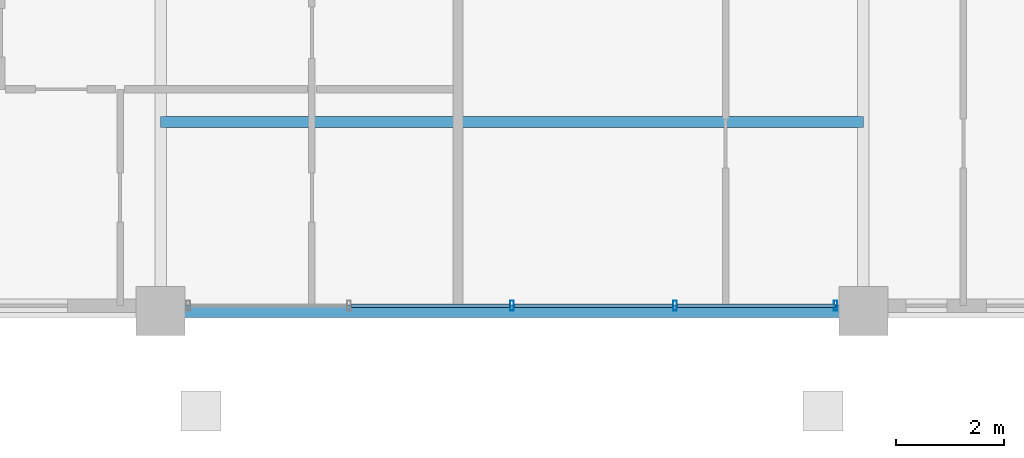
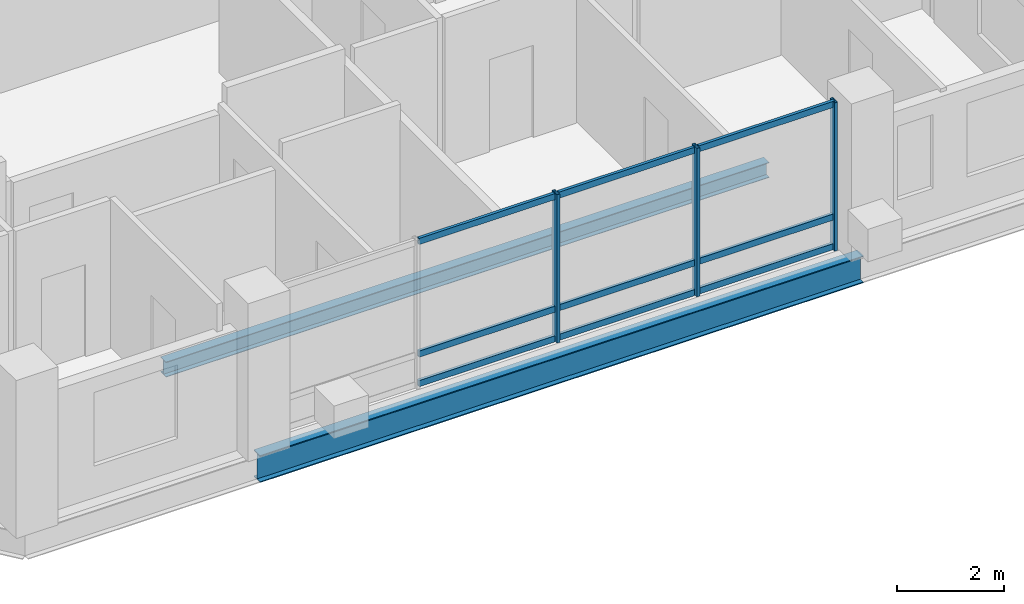
# One storey, part 4 of 16: 12 members, 2 beams, 1 element without a shape of its own.
"""IFC4 building model written with IfcOpenShell, lengths in metres."""

from ifc_helpers import new_model, si_unit, direction, frame, origin, origin_2d, place, context, subcontext, project, spatial, hollow_rectangle, i_section, extrude, material, layer, layer_set, material_profile, profile_set, type_object, element, aggregate, save


model = new_model("IFC4")

# Units and contexts
model_context = context("Model", 3, precision=1e-05, world=origin(), true_north=direction((0.0, 1.0)))
body_context = subcontext(model_context, "Body", "Model", "MODEL_VIEW")
ifc_project = project(units=[si_unit("LENGTHUNIT", "METRE"), si_unit("AREAUNIT", "SQUARE_METRE"), si_unit("VOLUMEUNIT", "CUBIC_METRE"), si_unit("PLANEANGLEUNIT", "RADIAN"), si_unit("MASSUNIT", "GRAM", prefix="KILO")], contexts=[model_context])

# Site, building, storey
site_placement = place(None, origin())
site = spatial("IfcSite", under=ifc_project, at=site_placement, CompositionType="ELEMENT")
building_placement = place(site_placement, origin())
building = spatial("IfcBuilding", under=site, at=building_placement, Name="Barlavira Tower and Art Museum", CompositionType="ELEMENT")
storey_placement = place(building_placement, frame((0.0, 0.0, 265.5)))
storey = spatial("IfcBuildingStorey", under=building, at=storey_placement, Name="L69", CompositionType="ELEMENT", Elevation=265.5)

# Curtain wall, members
ifc_material_1 = material(Name="Low-iron coastal laminated glass", Category="glass")
ifc_layer = layer(ifc_material_1, 0.2099609375, Name="Low-iron coastal laminated glass")
ifc_layer_set = layer_set([ifc_layer], Name="Low-iron coastal laminated glass")
curtain_wall_type = type_object("IfcCurtainWallType", Name="Pale-Metal Unitised Curtain Wall Zone 4", PredefinedType="NOTDEFINED", material=ifc_layer_set)
curtain_wall_placement = place(storey_placement, origin())
curtain_wall = element("IfcCurtainWall", 1, at=curtain_wall_placement, inside=storey, type_object=curtain_wall_type, Name="L69 Curtain Wall CW4-L69-S-B2", PredefinedType="NOTDEFINED")
ifc_material_2 = material(Name="Pale anodised aluminium", Category="aluminium")
ifc_material_profile_1 = material_profile(ifc_material_2, hollow_rectangle(XDim=0.06494140625, YDim=0.179931640625, WallThickness=0.00390625, at=origin_2d()), Name="ALU-MULL 65x180x4")
ifc_profile_set_1 = profile_set([ifc_material_profile_1], Name="Pale anodised aluminium")
member_type_1 = type_object("IfcMemberType", Name="Curtain Wall Pale-Metal Mullion 65x180", PredefinedType="MULLION", material=ifc_profile_set_1)
member_1_placement = place(storey_placement, frame((0.0, -19.89990234375, 0.0), z_axis=(0.0, 0.0, 1.0), x_axis=(1.0, 0.0, 0.0)))
member_1 = element("IfcMember", 2, at=member_1_placement, type_object=member_type_1, Name="CW4-L69-S-B2 Mullion 2", PredefinedType="MULLION", context=body_context, shape_type="SweptSolid", body=[
    extrude(hollow_rectangle(XDim=0.06494140625, YDim=0.179931640625, WallThickness=0.00390625, at=origin_2d()), origin(), (0.0, 0.0, 1.0), 3.3798828125),
])
member_2_placement = place(storey_placement, frame((3.014892578125, -19.89990234375, 0.0), z_axis=(0.0, 0.0, 1.0), x_axis=(1.0, 0.0, 0.0)))
member_2 = element("IfcMember", 3, at=member_2_placement, type_object=member_type_1, Name="CW4-L69-S-B2 Mullion 3", PredefinedType="MULLION", context=body_context, shape_type="SweptSolid", body=[
    extrude(hollow_rectangle(XDim=0.06494140625, YDim=0.179931640625, WallThickness=0.00390625, at=origin_2d()), origin(), (0.0, 0.0, 1.0), 3.3798828125),
])
member_3_placement = place(storey_placement, frame((5.985107421875, -19.89990234375, 0.0), z_axis=(0.0, 0.0, 1.0), x_axis=(1.0, 0.0, 0.0)))
member_3 = element("IfcMember", 4, at=member_3_placement, type_object=member_type_1, Name="CW4-L69-S-B2 Mullion 4", PredefinedType="MULLION", context=body_context, shape_type="SweptSolid", body=[
    extrude(hollow_rectangle(XDim=0.06494140625, YDim=0.179931640625, WallThickness=0.00390625, at=origin_2d()), origin(), (0.0, 0.0, 1.0), 3.3798828125),
])
ifc_material_profile_2 = material_profile(ifc_material_2, hollow_rectangle(XDim=0.06494140625, YDim=0.139892578125, WallThickness=0.00390625, at=origin_2d()), Name="ALU-TRAN 65x140x4")
ifc_profile_set_2 = profile_set([ifc_material_profile_2], Name="Pale anodised aluminium")
member_type_2 = type_object("IfcMemberType", Name="Curtain Wall Pale-Metal Transom 65x140", PredefinedType="USERDEFINED", material=ifc_profile_set_2)
member_4_placement = place(storey_placement, frame((-2.969970703125, -19.89990234375, 0.070068359375), z_axis=(1.0, 0.0, 0.0), x_axis=(0.0, 1.0, 0.0)))
member_4 = element("IfcMember", 5, at=member_4_placement, type_object=member_type_2, Name="CW4-L69-S-B2 Transom 1.1", ObjectType="TRANSOM", PredefinedType="USERDEFINED", context=body_context, shape_type="SweptSolid", body=[
    extrude(hollow_rectangle(XDim=0.06494140625, YDim=0.139892578125, WallThickness=0.00390625, at=origin_2d()), origin(), (0.0, 0.0, 1.0), 2.925048828125),
])
member_5_placement = place(storey_placement, frame((-2.969970703125, -19.89990234375, 0.743896484375), z_axis=(1.0, 0.0, 0.0), x_axis=(0.0, 1.0, 0.0)))
member_5 = element("IfcMember", 6, at=member_5_placement, type_object=member_type_2, Name="CW4-L69-S-B2 Transom 1.2", ObjectType="TRANSOM", PredefinedType="USERDEFINED", context=body_context, shape_type="SweptSolid", body=[
    extrude(hollow_rectangle(XDim=0.06494140625, YDim=0.139892578125, WallThickness=0.00390625, at=origin_2d()), origin(), (0.0, 0.0, 1.0), 2.925048828125),
])
member_6_placement = place(storey_placement, frame((-2.969970703125, -19.89990234375, 3.31005859375), z_axis=(1.0, 0.0, 0.0), x_axis=(0.0, 1.0, 0.0)))
member_6 = element("IfcMember", 7, at=member_6_placement, type_object=member_type_2, Name="CW4-L69-S-B2 Transom 1.3", ObjectType="TRANSOM", PredefinedType="USERDEFINED", context=body_context, shape_type="SweptSolid", body=[
    extrude(hollow_rectangle(XDim=0.06494140625, YDim=0.139892578125, WallThickness=0.00390625, at=origin_2d()), origin(), (0.0, 0.0, 1.0), 2.925048828125),
])
member_7_placement = place(storey_placement, frame((0.044921875, -19.89990234375, 0.070068359375), z_axis=(1.0, 0.0, 0.0), x_axis=(0.0, 1.0, 0.0)))
member_7 = element("IfcMember", 8, at=member_7_placement, type_object=member_type_2, Name="CW4-L69-S-B2 Transom 2.1", ObjectType="TRANSOM", PredefinedType="USERDEFINED", context=body_context, shape_type="SweptSolid", body=[
    extrude(hollow_rectangle(XDim=0.06494140625, YDim=0.139892578125, WallThickness=0.00390625, at=origin_2d()), origin(), (0.0, 0.0, 1.0), 2.925048828125),
])
member_8_placement = place(storey_placement, frame((0.044921875, -19.89990234375, 0.743896484375), z_axis=(1.0, 0.0, 0.0), x_axis=(0.0, 1.0, 0.0)))
member_8 = element("IfcMember", 9, at=member_8_placement, type_object=member_type_2, Name="CW4-L69-S-B2 Transom 2.2", ObjectType="TRANSOM", PredefinedType="USERDEFINED", context=body_context, shape_type="SweptSolid", body=[
    extrude(hollow_rectangle(XDim=0.06494140625, YDim=0.139892578125, WallThickness=0.00390625, at=origin_2d()), origin(), (0.0, 0.0, 1.0), 2.925048828125),
])
member_9_placement = place(storey_placement, frame((0.044921875, -19.89990234375, 3.31005859375), z_axis=(1.0, 0.0, 0.0), x_axis=(0.0, 1.0, 0.0)))
member_9 = element("IfcMember", 10, at=member_9_placement, type_object=member_type_2, Name="CW4-L69-S-B2 Transom 2.3", ObjectType="TRANSOM", PredefinedType="USERDEFINED", context=body_context, shape_type="SweptSolid", body=[
    extrude(hollow_rectangle(XDim=0.06494140625, YDim=0.139892578125, WallThickness=0.00390625, at=origin_2d()), origin(), (0.0, 0.0, 1.0), 2.925048828125),
])
member_10_placement = place(storey_placement, frame((3.06005859375, -19.89990234375, 0.070068359375), z_axis=(1.0, 0.0, 0.0), x_axis=(0.0, 1.0, 0.0)))
member_10 = element("IfcMember", 11, at=member_10_placement, type_object=member_type_2, Name="CW4-L69-S-B2 Transom 3.1", ObjectType="TRANSOM", PredefinedType="USERDEFINED", context=body_context, shape_type="SweptSolid", body=[
    extrude(hollow_rectangle(XDim=0.06494140625, YDim=0.139892578125, WallThickness=0.00390625, at=origin_2d()), origin(), (0.0, 0.0, 1.0), 2.925048828125),
])
member_11_placement = place(storey_placement, frame((3.06005859375, -19.89990234375, 0.743896484375), z_axis=(1.0, 0.0, 0.0), x_axis=(0.0, 1.0, 0.0)))
member_11 = element("IfcMember", 12, at=member_11_placement, type_object=member_type_2, Name="CW4-L69-S-B2 Transom 3.2", ObjectType="TRANSOM", PredefinedType="USERDEFINED", context=body_context, shape_type="SweptSolid", body=[
    extrude(hollow_rectangle(XDim=0.06494140625, YDim=0.139892578125, WallThickness=0.00390625, at=origin_2d()), origin(), (0.0, 0.0, 1.0), 2.925048828125),
])
member_12_placement = place(storey_placement, frame((3.06005859375, -19.89990234375, 3.31005859375), z_axis=(1.0, 0.0, 0.0), x_axis=(0.0, 1.0, 0.0)))
member_12 = element("IfcMember", 13, at=member_12_placement, type_object=member_type_2, Name="CW4-L69-S-B2 Transom 3.3", ObjectType="TRANSOM", PredefinedType="USERDEFINED", context=body_context, shape_type="SweptSolid", body=[
    extrude(hollow_rectangle(XDim=0.06494140625, YDim=0.139892578125, WallThickness=0.00390625, at=origin_2d()), origin(), (0.0, 0.0, 1.0), 2.925048828125),
])
aggregate(curtain_wall, [member_1, member_2, member_3, member_4, member_5, member_6, member_7, member_8, member_9, member_10, member_11, member_12])

# Beams
ifc_material_3 = material(Name="Steel S355", Category="steel")
ifc_material_profile_3 = material_profile(ifc_material_3, i_section(OverallWidth=0.22998046875, OverallDepth=0.616943359375, WebThickness=0.01318359375, FlangeThickness=0.022216796875, at=origin_2d()), Name="W610x140.0")
ifc_profile_set_3 = profile_set([ifc_material_profile_3], Name="Steel S355")
beam_type_1 = type_object("IfcBeamType", Name="Upper Shaft Spandrel Edge Beam W610x140 Steel S355", PredefinedType="SPANDREL", material=ifc_profile_set_3)
beam_1_placement = place(storey_placement, frame((-6.5, -20.0, -0.528564453125), z_axis=(1.0, 0.0, 0.0), x_axis=(0.0, 1.0, 0.0)))
element("IfcBeam", 14, at=beam_1_placement, inside=storey, type_object=beam_type_1, Name="L69 Spandrel 2", PredefinedType="SPANDREL", context=body_context, shape_type="SweptSolid", body=[
    extrude(i_section(OverallWidth=0.22998046875, OverallDepth=0.616943359375, WebThickness=0.01318359375, FlangeThickness=0.022216796875, at=origin_2d()), origin(), (0.0, 0.0, 1.0), 13.0),
])
ifc_material_profile_4 = material_profile(ifc_material_3, i_section(OverallWidth=0.202880859375, OverallDepth=0.346923828125, WebThickness=0.0078125, FlangeThickness=0.013427734375, at=origin_2d()), Name="W360x64.0")
ifc_profile_set_4 = profile_set([ifc_material_profile_4], Name="Steel S355")
beam_type_2 = type_object("IfcBeamType", Name="Zone 4 Composite Floor Joist W360x64 Steel S355", PredefinedType="JOIST", material=ifc_profile_set_4)
beam_2_placement = place(storey_placement, frame((-6.5, -16.5, -0.3935546875), z_axis=(1.0, 0.0, 0.0), x_axis=(0.0, 1.0, 0.0)))
element("IfcBeam", 15, at=beam_2_placement, inside=storey, type_object=beam_type_2, Name="L69 Joist C1", PredefinedType="JOIST", context=body_context, shape_type="SweptSolid", body=[
    extrude(i_section(OverallWidth=0.202880859375, OverallDepth=0.346923828125, WebThickness=0.0078125, FlangeThickness=0.013427734375, at=origin_2d()), origin(), (0.0, 0.0, 1.0), 13.0),
])

save(model, "model.ifc")
